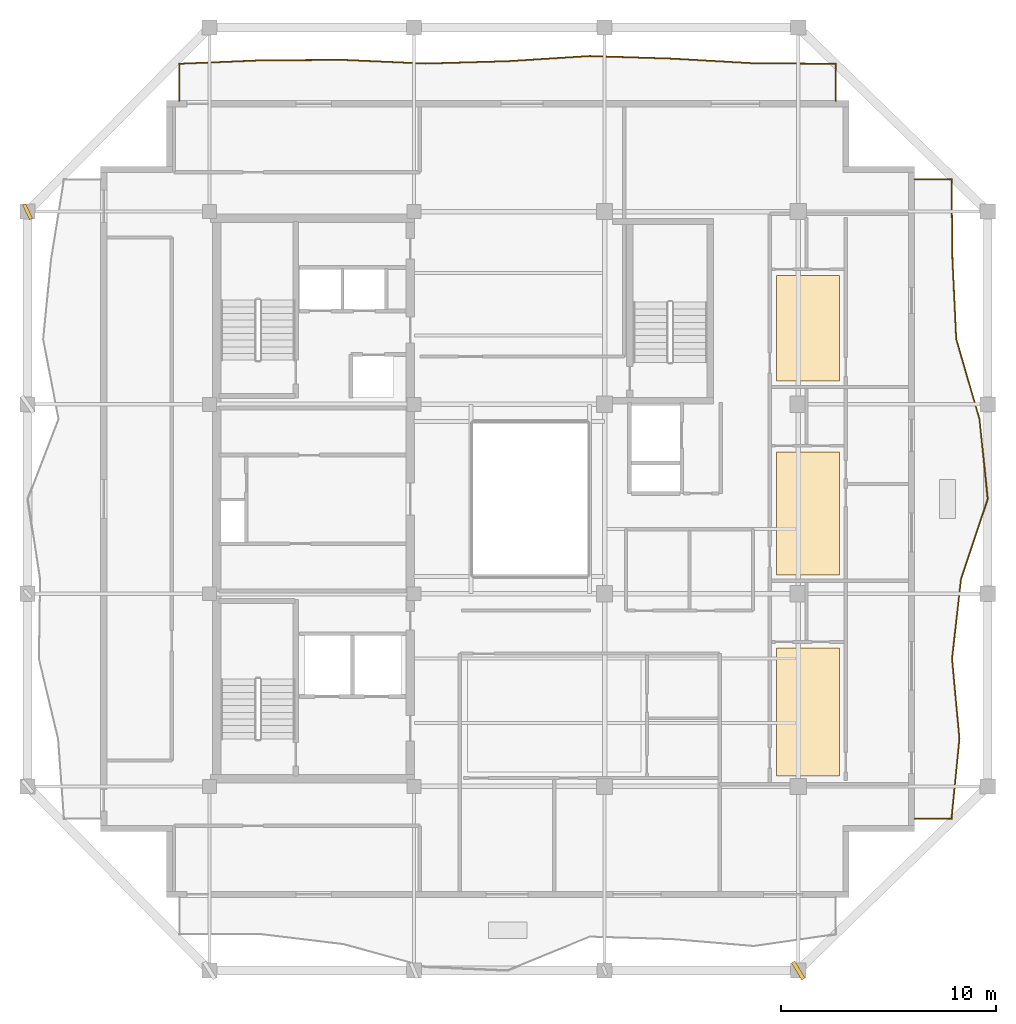
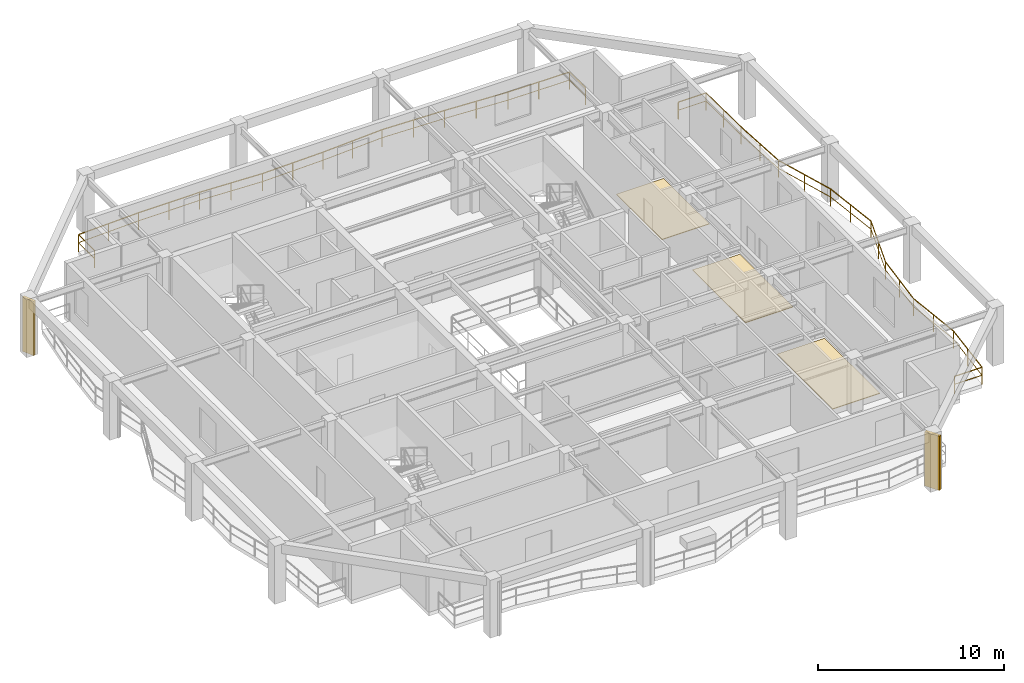
# One storey, part 9 of 10: 3 coverings, 2 railings, 2 shading devices.
"""IFC4 building model written with IfcOpenShell, lengths in metres."""

from ifc_helpers import new_model, si_unit, direction, frame, origin, origin_2d, place, context, subcontext, project, spatial, polyline, rectangle, outline, extrude, material, layer, layer_set, type_object, element, save


model = new_model("IFC4")

# Units and contexts
model_context = context("Model", 3, precision=1e-05, world=origin(), true_north=direction((0.0, 1.0)))
body_context = subcontext(model_context, "Body", "Model", "MODEL_VIEW")
ifc_project = project(units=[si_unit("LENGTHUNIT", "METRE"), si_unit("AREAUNIT", "SQUARE_METRE"), si_unit("VOLUMEUNIT", "CUBIC_METRE"), si_unit("PLANEANGLEUNIT", "RADIAN"), si_unit("MASSUNIT", "GRAM", prefix="KILO")], contexts=[model_context])

# Site, building, storey
site_placement = place(None, origin())
site = spatial("IfcSite", under=ifc_project, at=site_placement, CompositionType="ELEMENT")
building_placement = place(site_placement, origin())
building = spatial("IfcBuilding", under=site, at=building_placement, Name="Kundavana Baori Tower", CompositionType="ELEMENT")
storey_placement = place(building_placement, frame((0.0, 0.0, 316.300048828125)))
storey = spatial("IfcBuildingStorey", under=building, at=storey_placement, Name="L78", CompositionType="ELEMENT", Elevation=316.300048828125)

# Coverings
ifc_material_1 = material(Name="Honed Kota Stone and Terrazzo Flooring", Category="masonry")
ifc_layer = layer(ifc_material_1, 0.0400390625, Name="COV-FLR-TERR-40")
ifc_layer_set = layer_set([ifc_layer], Name="Honed Kota Stone and Terrazzo Flooring")
covering_type = type_object("IfcCoveringType", Name="COV-FLR-TERR-40", PredefinedType="FLOORING", material=ifc_layer_set)
covering_1_placement = place(storey_placement, origin())
element("IfcCovering", 1, at=covering_1_placement, inside=storey, type_object=covering_type, Name="L78 Room Finished Stone Flooring 2", PredefinedType="FLOORING", context=body_context, shape_type="SweptSolid", body=[
    extrude(outline(polyline([(41.780029296875, 15.72998046875), (44.719970703125, 15.72998046875), (44.719970703125, 21.679931640625), (41.780029296875, 21.679931640625), (41.780029296875, 15.72998046875)])), origin(), (0.0, 0.0, 1.0), 0.0400390625),
])
covering_2_placement = place(storey_placement, origin())
element("IfcCovering", 2, at=covering_2_placement, inside=storey, type_object=covering_type, Name="L78 Room Finished Stone Flooring 3", PredefinedType="FLOORING", context=body_context, shape_type="SweptSolid", body=[
    extrude(outline(polyline([(41.780029296875, 25.080078125), (44.719970703125, 25.080078125), (44.719970703125, 30.7900390625), (41.780029296875, 30.7900390625), (41.780029296875, 25.080078125)])), origin(), (0.0, 0.0, 1.0), 0.0400390625),
])
covering_3_placement = place(storey_placement, origin())
element("IfcCovering", 3, at=covering_3_placement, inside=storey, type_object=covering_type, Name="L78 Room Finished Stone Flooring 4", PredefinedType="FLOORING", context=body_context, shape_type="SweptSolid", body=[
    extrude(outline(polyline([(41.780029296875, 34.080078125), (44.719970703125, 34.080078125), (44.719970703125, 38.989990234375), (41.780029296875, 38.989990234375), (41.780029296875, 34.080078125)])), origin(), (0.0, 0.0, 1.0), 0.0400390625),
])

# Railings
ifc_material_2 = material(Name="Architectural Patinated Bronze Metalwork")
railing_type = type_object("IfcRailingType", Name="RL-BAL-1150", PredefinedType="BALUSTRADE", material=ifc_material_2)
railing_1_placement = place(storey_placement, frame((48.199951171875, 43.449951171875, 0.0)))
element("IfcRailing", 4, at=railing_1_placement, inside=storey, type_object=railing_type, Name="L78 Loggia Balcony Balustrade E", PredefinedType="BALUSTRADE", context=body_context, shape_type="SweptSolid", body=[
    extrude(rectangle(XDim=0.048095703125, YDim=0.048095703125, at=origin_2d()), frame((0.0, 0.0, 1.1259765625), z_axis=(1.0, 0.0, 0.0), x_axis=(0.0, 1.0, 0.0)), (0.0, 0.0, 1.0), 1.719970703125),
    extrude(rectangle(XDim=0.03125, YDim=0.03125, at=origin_2d()), frame((0.0, 0.0, 0.597900390625), z_axis=(1.0, 0.0, 0.0), x_axis=(0.0, 1.0, 0.0)), (0.0, 0.0, 1.0), 1.719970703125),
    extrude(rectangle(XDim=0.048095703125, YDim=0.048095703125, at=origin_2d()), frame((1.719970703125, 0.0, 1.1259765625), z_axis=(0.011903918403, -0.999929145853, 0.0), x_axis=(0.999929145853, 0.011903918403, 0.0)), (0.0, 0.0, 1.0), 3.712158203125),
    extrude(rectangle(XDim=0.03125, YDim=0.03125, at=origin_2d()), frame((1.719970703125, 0.0, 0.597900390625), z_axis=(0.011903918403, -0.999929145853, 0.0), x_axis=(0.999929145853, 0.011903918403, 0.0)), (0.0, 0.0, 1.0), 3.712158203125),
    extrude(rectangle(XDim=0.048095703125, YDim=0.048095703125, at=origin_2d()), frame((1.76416015625, -3.7119140625, 1.1259765625), z_axis=(0.047287431984, -0.99888132367, 0.0), x_axis=(0.99888132367, 0.047287431984, 0.0)), (0.0, 0.0, 1.0), 3.71728515625),
    extrude(rectangle(XDim=0.03125, YDim=0.03125, at=origin_2d()), frame((1.76416015625, -3.7119140625, 0.597900390625), z_axis=(0.047287431984, -0.99888132367, 0.0), x_axis=(0.99888132367, 0.047287431984, 0.0)), (0.0, 0.0, 1.0), 3.71728515625),
    extrude(rectangle(XDim=0.048095703125, YDim=0.048095703125, at=origin_2d()), frame((1.93994140625, -7.425048828125, 1.1259765625), z_axis=(0.279553895697, -0.960130001302, 0.0), x_axis=(0.960130001302, 0.279553895697, 0.0)), (0.0, 0.0, 1.0), 3.8671875),
    extrude(rectangle(XDim=0.03125, YDim=0.03125, at=origin_2d()), frame((1.93994140625, -7.425048828125, 0.597900390625), z_axis=(0.279553895697, -0.960130001302, 0.0), x_axis=(0.960130001302, 0.279553895697, 0.0)), (0.0, 0.0, 1.0), 3.8671875),
    extrude(rectangle(XDim=0.048095703125, YDim=0.048095703125, at=origin_2d()), frame((3.02099609375, -11.137939453125, 1.1259765625), z_axis=(0.101615449168, -0.994823753481, 0.0), x_axis=(0.994823753481, 0.101615449168, 0.0)), (0.0, 0.0, 1.0), 3.731201171875),
    extrude(rectangle(XDim=0.03125, YDim=0.03125, at=origin_2d()), frame((3.02099609375, -11.137939453125, 0.597900390625), z_axis=(0.101615449168, -0.994823753481, 0.0), x_axis=(0.994823753481, 0.101615449168, 0.0)), (0.0, 0.0, 1.0), 3.731201171875),
    extrude(rectangle(XDim=0.048095703125, YDim=0.048095703125, at=origin_2d()), frame((3.400146484375, -14.849853515625, 1.1259765625), z_axis=(-0.31637749704, -0.94863337458, 0.0), x_axis=(0.94863337458, -0.31637749704, 0.0)), (0.0, 0.0, 1.0), 3.9130859375),
    extrude(rectangle(XDim=0.03125, YDim=0.03125, at=origin_2d()), frame((3.400146484375, -14.849853515625, 0.597900390625), z_axis=(-0.31637749704, -0.94863337458, 0.0), x_axis=(0.94863337458, -0.31637749704, 0.0)), (0.0, 0.0, 1.0), 3.9130859375),
    extrude(rectangle(XDim=0.048095703125, YDim=0.048095703125, at=origin_2d()), frame((2.162109375, -18.56201171875, 1.1259765625), z_axis=(-0.111349509965, -0.993781307245, 0.0), x_axis=(0.993781307245, -0.111349509965, 0.0)), (0.0, 0.0, 1.0), 3.736083984375),
    extrude(rectangle(XDim=0.03125, YDim=0.03125, at=origin_2d()), frame((2.162109375, -18.56201171875, 0.597900390625), z_axis=(-0.111349509965, -0.993781307245, 0.0), x_axis=(0.993781307245, -0.111349509965, 0.0)), (0.0, 0.0, 1.0), 3.736083984375),
    extrude(rectangle(XDim=0.048095703125, YDim=0.048095703125, at=origin_2d()), frame((1.74609375, -22.27490234375, 1.1259765625), z_axis=(0.091987835088, -0.995760130853, 0.0), x_axis=(0.995760130853, 0.091987835088, 0.0)), (0.0, 0.0, 1.0), 3.72900390625),
    extrude(rectangle(XDim=0.03125, YDim=0.03125, at=origin_2d()), frame((1.74609375, -22.27490234375, 0.597900390625), z_axis=(0.091987835088, -0.995760130853, 0.0), x_axis=(0.995760130853, 0.091987835088, 0.0)), (0.0, 0.0, 1.0), 3.72900390625),
    extrude(rectangle(XDim=0.048095703125, YDim=0.048095703125, at=origin_2d()), frame((2.089111328125, -25.988037109375, 1.1259765625), z_axis=(-0.098959373147, -0.995091474422, 0.0), x_axis=(0.995091474422, -0.098959373147, 0.0)), (0.0, 0.0, 1.0), 3.730224609375),
    extrude(rectangle(XDim=0.03125, YDim=0.03125, at=origin_2d()), frame((2.089111328125, -25.988037109375, 0.597900390625), z_axis=(-0.098959373147, -0.995091474422, 0.0), x_axis=(0.995091474422, -0.098959373147, 0.0)), (0.0, 0.0, 1.0), 3.730224609375),
    extrude(rectangle(XDim=0.048095703125, YDim=0.048095703125, at=origin_2d()), frame((1.719970703125, -29.699951171875, 1.1259765625), z_axis=(-1.0, 0.0, 0.0), x_axis=(0.0, -1.0, 0.0)), (0.0, 0.0, 1.0), 1.719970703125),
    extrude(rectangle(XDim=0.03125, YDim=0.03125, at=origin_2d()), frame((1.719970703125, -29.699951171875, 0.597900390625), z_axis=(-1.0, 0.0, 0.0), x_axis=(0.0, -1.0, 0.0)), (0.0, 0.0, 1.0), 1.719970703125),
    extrude(rectangle(XDim=0.0419921875, YDim=0.0419921875, at=origin_2d()), origin(), (0.0, 0.0, 1.0), 1.101806640625),
    extrude(rectangle(XDim=0.0419921875, YDim=0.0419921875, at=origin_2d()), frame((1.719970703125, 0.0, 0.0)), (0.0, 0.0, 1.0), 1.101806640625),
    extrude(rectangle(XDim=0.0419921875, YDim=0.0419921875, at=origin_2d()), frame((1.7421875, -1.85595703125, 0.0)), (0.0, 0.0, 1.0), 1.101806640625),
    extrude(rectangle(XDim=0.0419921875, YDim=0.0419921875, at=origin_2d()), frame((1.76416015625, -3.7119140625, 0.0)), (0.0, 0.0, 1.0), 1.101806640625),
    extrude(rectangle(XDim=0.0419921875, YDim=0.0419921875, at=origin_2d()), frame((1.85205078125, -5.568359375, 0.0)), (0.0, 0.0, 1.0), 1.101806640625),
    extrude(rectangle(XDim=0.0419921875, YDim=0.0419921875, at=origin_2d()), frame((1.93994140625, -7.425048828125, 0.0)), (0.0, 0.0, 1.0), 1.101806640625),
    extrude(rectangle(XDim=0.0419921875, YDim=0.0419921875, at=origin_2d()), frame((2.48046875, -9.281494140625, 0.0)), (0.0, 0.0, 1.0), 1.101806640625),
    extrude(rectangle(XDim=0.0419921875, YDim=0.0419921875, at=origin_2d()), frame((3.02099609375, -11.137939453125, 0.0)), (0.0, 0.0, 1.0), 1.101806640625),
    extrude(rectangle(XDim=0.0419921875, YDim=0.0419921875, at=origin_2d()), frame((3.21044921875, -12.993896484375, 0.0)), (0.0, 0.0, 1.0), 1.101806640625),
    extrude(rectangle(XDim=0.0419921875, YDim=0.0419921875, at=origin_2d()), frame((3.400146484375, -14.849853515625, 0.0)), (0.0, 0.0, 1.0), 1.101806640625),
    extrude(rectangle(XDim=0.0419921875, YDim=0.0419921875, at=origin_2d()), frame((2.78125, -16.7060546875, 0.0)), (0.0, 0.0, 1.0), 1.101806640625),
    extrude(rectangle(XDim=0.0419921875, YDim=0.0419921875, at=origin_2d()), frame((2.162109375, -18.56201171875, 0.0)), (0.0, 0.0, 1.0), 1.101806640625),
    extrude(rectangle(XDim=0.0419921875, YDim=0.0419921875, at=origin_2d()), frame((1.9541015625, -20.41845703125, 0.0)), (0.0, 0.0, 1.0), 1.101806640625),
    extrude(rectangle(XDim=0.0419921875, YDim=0.0419921875, at=origin_2d()), frame((1.74609375, -22.27490234375, 0.0)), (0.0, 0.0, 1.0), 1.101806640625),
    extrude(rectangle(XDim=0.0419921875, YDim=0.0419921875, at=origin_2d()), frame((1.91748046875, -24.13134765625, 0.0)), (0.0, 0.0, 1.0), 1.101806640625),
    extrude(rectangle(XDim=0.0419921875, YDim=0.0419921875, at=origin_2d()), frame((2.089111328125, -25.988037109375, 0.0)), (0.0, 0.0, 1.0), 1.101806640625),
    extrude(rectangle(XDim=0.0419921875, YDim=0.0419921875, at=origin_2d()), frame((1.904541015625, -27.843994140625, 0.0)), (0.0, 0.0, 1.0), 1.101806640625),
    extrude(rectangle(XDim=0.0419921875, YDim=0.0419921875, at=origin_2d()), frame((1.719970703125, -29.699951171875, 0.0)), (0.0, 0.0, 1.0), 1.101806640625),
    extrude(rectangle(XDim=0.0419921875, YDim=0.0419921875, at=origin_2d()), frame((0.0, -29.699951171875, 0.0)), (0.0, 0.0, 1.0), 1.101806640625),
])
railing_2_placement = place(storey_placement, frame((14.050048828125, 47.10009765625, 0.0)))
element("IfcRailing", 5, at=railing_2_placement, inside=storey, type_object=railing_type, Name="L78 Loggia Balcony Balustrade N", PredefinedType="BALUSTRADE", context=body_context, shape_type="SweptSolid", body=[
    extrude(rectangle(XDim=0.048095703125, YDim=0.048095703125, at=origin_2d()), frame((0.0, 0.0, 1.1259765625), z_axis=(0.0, 1.0, 0.0), x_axis=(-1.0, 0.0, 0.0)), (0.0, 0.0, 1.0), 1.719970703125),
    extrude(rectangle(XDim=0.03125, YDim=0.03125, at=origin_2d()), frame((0.0, 0.0, 0.597900390625), z_axis=(0.0, 1.0, 0.0), x_axis=(-1.0, 0.0, 0.0)), (0.0, 0.0, 1.0), 1.719970703125),
    extrude(rectangle(XDim=0.048095703125, YDim=0.048095703125, at=origin_2d()), frame((0.0, 1.719970703125, 1.1259765625), z_axis=(0.999121727407, 0.041901954889, 0.0), x_axis=(-0.041901954889, 0.999121727407, 0.0)), (0.0, 0.0, 1.0), 3.81640625),
    extrude(rectangle(XDim=0.03125, YDim=0.03125, at=origin_2d()), frame((0.0, 1.719970703125, 0.597900390625), z_axis=(0.999121727407, 0.041901954889, 0.0), x_axis=(-0.041901954889, 0.999121727407, 0.0)), (0.0, 0.0, 1.0), 3.81640625),
    extrude(rectangle(XDim=0.048095703125, YDim=0.048095703125, at=origin_2d()), frame((3.81298828125, 1.8798828125, 1.1259765625), z_axis=(0.999984831988, 0.005507794002, 0.0), x_axis=(-0.005507794002, 0.999984831988, 0.0)), (0.0, 0.0, 1.0), 3.81201171875),
    extrude(rectangle(XDim=0.03125, YDim=0.03125, at=origin_2d()), frame((3.81298828125, 1.8798828125, 0.597900390625), z_axis=(0.999984831988, 0.005507794002, 0.0), x_axis=(-0.005507794002, 0.999984831988, 0.0)), (0.0, 0.0, 1.0), 3.81201171875),
    extrude(rectangle(XDim=0.048095703125, YDim=0.048095703125, at=origin_2d()), frame((7.625, 1.90087890625, 1.1259765625), z_axis=(0.998996577857, -0.044786576438, 0.0), x_axis=(0.044786576438, 0.998996577857, 0.0)), (0.0, 0.0, 1.0), 3.81591796875),
    extrude(rectangle(XDim=0.03125, YDim=0.03125, at=origin_2d()), frame((7.625, 1.90087890625, 0.597900390625), z_axis=(0.998996577857, -0.044786576438, 0.0), x_axis=(0.044786576438, 0.998996577857, 0.0)), (0.0, 0.0, 1.0), 3.81591796875),
    extrude(rectangle(XDim=0.048095703125, YDim=0.048095703125, at=origin_2d()), frame((11.43701171875, 1.72998046875, 1.1259765625), z_axis=(0.999585166434, 0.028800955621, 0.0), x_axis=(-0.028800955621, 0.999585166434, 0.0)), (0.0, 0.0, 1.0), 3.814453125),
    extrude(rectangle(XDim=0.03125, YDim=0.03125, at=origin_2d()), frame((11.43701171875, 1.72998046875, 0.597900390625), z_axis=(0.999585166434, 0.028800955621, 0.0), x_axis=(-0.028800955621, 0.999585166434, 0.0)), (0.0, 0.0, 1.0), 3.814453125),
    extrude(rectangle(XDim=0.048095703125, YDim=0.048095703125, at=origin_2d()), frame((15.25, 1.83984375, 1.1259765625), z_axis=(0.998040122936, 0.062577256331, 0.0), x_axis=(-0.062577256331, 0.998040122936, 0.0)), (0.0, 0.0, 1.0), 3.819580078125),
    extrude(rectangle(XDim=0.03125, YDim=0.03125, at=origin_2d()), frame((15.25, 1.83984375, 0.597900390625), z_axis=(0.998040122936, 0.062577256331, 0.0), x_axis=(-0.062577256331, 0.998040122936, 0.0)), (0.0, 0.0, 1.0), 3.819580078125),
    extrude(rectangle(XDim=0.048095703125, YDim=0.048095703125, at=origin_2d()), frame((19.06201171875, 2.078857421875, 1.1259765625), z_axis=(0.999514196625, -0.031166821216, 0.0), x_axis=(0.031166821216, 0.999514196625, 0.0)), (0.0, 0.0, 1.0), 3.81494140625),
    extrude(rectangle(XDim=0.03125, YDim=0.03125, at=origin_2d()), frame((19.06201171875, 2.078857421875, 0.597900390625), z_axis=(0.999514196625, -0.031166821216, 0.0), x_axis=(0.031166821216, 0.999514196625, 0.0)), (0.0, 0.0, 1.0), 3.81494140625),
    extrude(rectangle(XDim=0.048095703125, YDim=0.048095703125, at=origin_2d()), frame((22.875, 1.9599609375, 1.1259765625), z_axis=(0.998383071385, -0.056844021421, 0.0), x_axis=(0.056844021421, 0.998383071385, 0.0)), (0.0, 0.0, 1.0), 3.818115234375),
    extrude(rectangle(XDim=0.03125, YDim=0.03125, at=origin_2d()), frame((22.875, 1.9599609375, 0.597900390625), z_axis=(0.998383071385, -0.056844021421, 0.0), x_axis=(0.056844021421, 0.998383071385, 0.0)), (0.0, 0.0, 1.0), 3.818115234375),
    extrude(rectangle(XDim=0.048095703125, YDim=0.048095703125, at=origin_2d()), frame((26.68701171875, 1.742919921875, 1.1259765625), z_axis=(0.999981888139, -0.006018587366, 0.0), x_axis=(0.006018587366, 0.999981888139, 0.0)), (0.0, 0.0, 1.0), 3.81298828125),
    extrude(rectangle(XDim=0.03125, YDim=0.03125, at=origin_2d()), frame((26.68701171875, 1.742919921875, 0.597900390625), z_axis=(0.999981888139, -0.006018587366, 0.0), x_axis=(0.006018587366, 0.999981888139, 0.0)), (0.0, 0.0, 1.0), 3.81298828125),
    extrude(rectangle(XDim=0.048095703125, YDim=0.048095703125, at=origin_2d()), frame((30.5, 1.719970703125, 1.1259765625), z_axis=(0.0, -1.0, 0.0), x_axis=(1.0, 0.0, 0.0)), (0.0, 0.0, 1.0), 1.719970703125),
    extrude(rectangle(XDim=0.03125, YDim=0.03125, at=origin_2d()), frame((30.5, 1.719970703125, 0.597900390625), z_axis=(0.0, -1.0, 0.0), x_axis=(1.0, 0.0, 0.0)), (0.0, 0.0, 1.0), 1.719970703125),
    extrude(rectangle(XDim=0.0419921875, YDim=0.0419921875, at=origin_2d()), origin(), (0.0, 0.0, 1.0), 1.101806640625),
    extrude(rectangle(XDim=0.0419921875, YDim=0.0419921875, at=origin_2d()), frame((0.0, 1.719970703125, 0.0)), (0.0, 0.0, 1.0), 1.101806640625),
    extrude(rectangle(XDim=0.0419921875, YDim=0.0419921875, at=origin_2d()), frame((1.906494140625, 1.7998046875, 0.0)), (0.0, 0.0, 1.0), 1.101806640625),
    extrude(rectangle(XDim=0.0419921875, YDim=0.0419921875, at=origin_2d()), frame((3.81298828125, 1.8798828125, 0.0)), (0.0, 0.0, 1.0), 1.101806640625),
    extrude(rectangle(XDim=0.0419921875, YDim=0.0419921875, at=origin_2d()), frame((5.718994140625, 1.890380859375, 0.0)), (0.0, 0.0, 1.0), 1.101806640625),
    extrude(rectangle(XDim=0.0419921875, YDim=0.0419921875, at=origin_2d()), frame((7.625, 1.90087890625, 0.0)), (0.0, 0.0, 1.0), 1.101806640625),
    extrude(rectangle(XDim=0.0419921875, YDim=0.0419921875, at=origin_2d()), frame((9.531005859375, 1.8154296875, 0.0)), (0.0, 0.0, 1.0), 1.101806640625),
    extrude(rectangle(XDim=0.0419921875, YDim=0.0419921875, at=origin_2d()), frame((11.43701171875, 1.72998046875, 0.0)), (0.0, 0.0, 1.0), 1.101806640625),
    extrude(rectangle(XDim=0.0419921875, YDim=0.0419921875, at=origin_2d()), frame((13.343505859375, 1.784912109375, 0.0)), (0.0, 0.0, 1.0), 1.101806640625),
    extrude(rectangle(XDim=0.0419921875, YDim=0.0419921875, at=origin_2d()), frame((15.25, 1.83984375, 0.0)), (0.0, 0.0, 1.0), 1.101806640625),
    extrude(rectangle(XDim=0.0419921875, YDim=0.0419921875, at=origin_2d()), frame((17.156005859375, 1.95947265625, 0.0)), (0.0, 0.0, 1.0), 1.101806640625),
    extrude(rectangle(XDim=0.0419921875, YDim=0.0419921875, at=origin_2d()), frame((19.06201171875, 2.078857421875, 0.0)), (0.0, 0.0, 1.0), 1.101806640625),
    extrude(rectangle(XDim=0.0419921875, YDim=0.0419921875, at=origin_2d()), frame((20.968505859375, 2.01953125, 0.0)), (0.0, 0.0, 1.0), 1.101806640625),
    extrude(rectangle(XDim=0.0419921875, YDim=0.0419921875, at=origin_2d()), frame((22.875, 1.9599609375, 0.0)), (0.0, 0.0, 1.0), 1.101806640625),
    extrude(rectangle(XDim=0.0419921875, YDim=0.0419921875, at=origin_2d()), frame((24.781005859375, 1.8515625, 0.0)), (0.0, 0.0, 1.0), 1.101806640625),
    extrude(rectangle(XDim=0.0419921875, YDim=0.0419921875, at=origin_2d()), frame((26.68701171875, 1.742919921875, 0.0)), (0.0, 0.0, 1.0), 1.101806640625),
    extrude(rectangle(XDim=0.0419921875, YDim=0.0419921875, at=origin_2d()), frame((28.593505859375, 1.7314453125, 0.0)), (0.0, 0.0, 1.0), 1.101806640625),
    extrude(rectangle(XDim=0.0419921875, YDim=0.0419921875, at=origin_2d()), frame((30.5, 1.719970703125, 0.0)), (0.0, 0.0, 1.0), 1.101806640625),
    extrude(rectangle(XDim=0.0419921875, YDim=0.0419921875, at=origin_2d()), frame((30.5, 0.0, 0.0)), (0.0, 0.0, 1.0), 1.101806640625),
])

# Shading devices
ifc_material_3 = material(Name="Red-Buff Dholpur Sandstone Cladding on Concrete C40/50", Category="masonry")
shading_device_type_1 = type_object("IfcShadingDeviceType", Name="SHD-FIN-750", PredefinedType="JALOUSIE", material=ifc_material_3)
shading_device_1_placement = place(storey_placement, frame((7.0, 41.949951171875, 0.0), z_axis=(0.0, 0.0, 1.0), x_axis=(0.904529581968, 0.426410876203, 0.0)))
element("IfcShadingDevice", 6, at=shading_device_1_placement, inside=storey, type_object=shading_device_type_1, Name="L78 Sweeping Dholpur Sandstone Facade Fin 8", PredefinedType="JALOUSIE", context=body_context, shape_type="SweptSolid", body=[
    extrude(rectangle(XDim=0.159912109375, YDim=0.75, at=origin_2d()), origin(), (0.0, 0.0, 1.0), 3.56005859375),
])
ifc_material_4 = material(Name="Red-Buff Dholpur Sandstone Cladding on Concrete C40/50", Category="masonry")
shading_device_type_2 = type_object("IfcShadingDeviceType", Name="SHD-FIN-920", PredefinedType="JALOUSIE", material=ifc_material_4)
shading_device_2_placement = place(storey_placement, frame((42.800048828125, 6.699951171875, 0.0), z_axis=(0.0, 0.0, 1.0), x_axis=(0.85860221428, 0.512642407174, 0.0)))
element("IfcShadingDevice", 7, at=shading_device_2_placement, inside=storey, type_object=shading_device_type_2, Name="L78 Sweeping Dholpur Sandstone Facade Fin 4", PredefinedType="JALOUSIE", context=body_context, shape_type="SweptSolid", body=[
    extrude(rectangle(XDim=0.179931640625, YDim=0.919921875, at=origin_2d()), origin(), (0.0, 0.0, 1.0), 3.56005859375),
])

save(model, "model.ifc")
